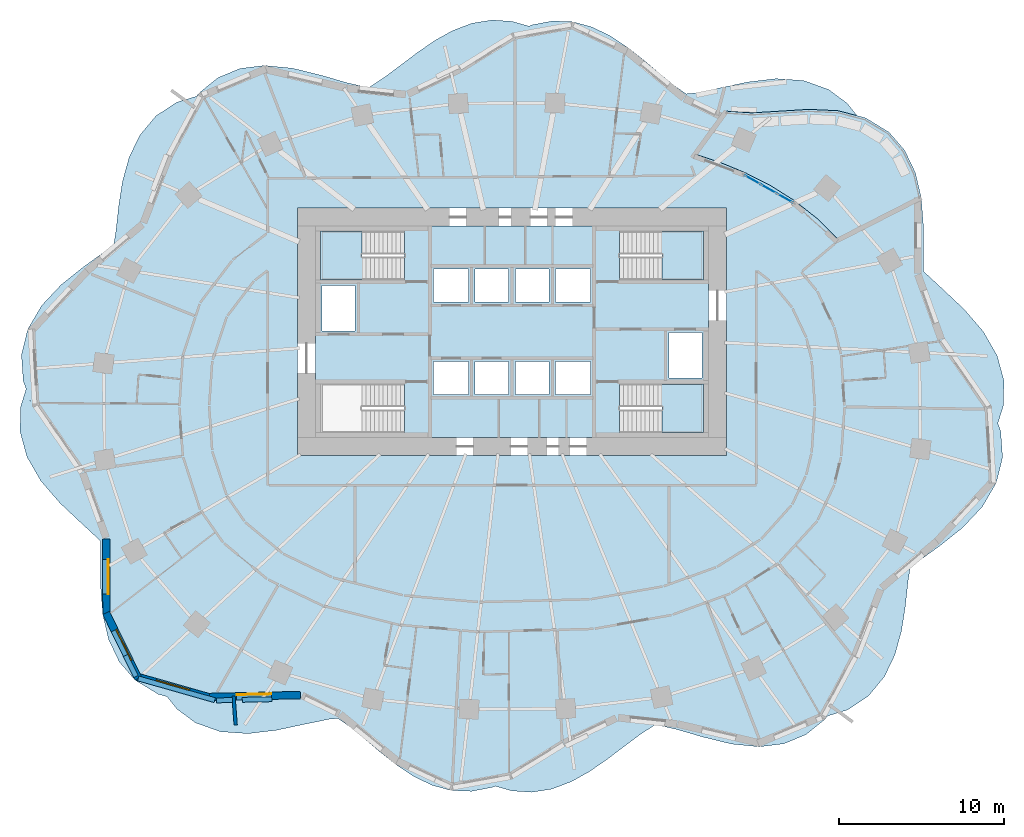
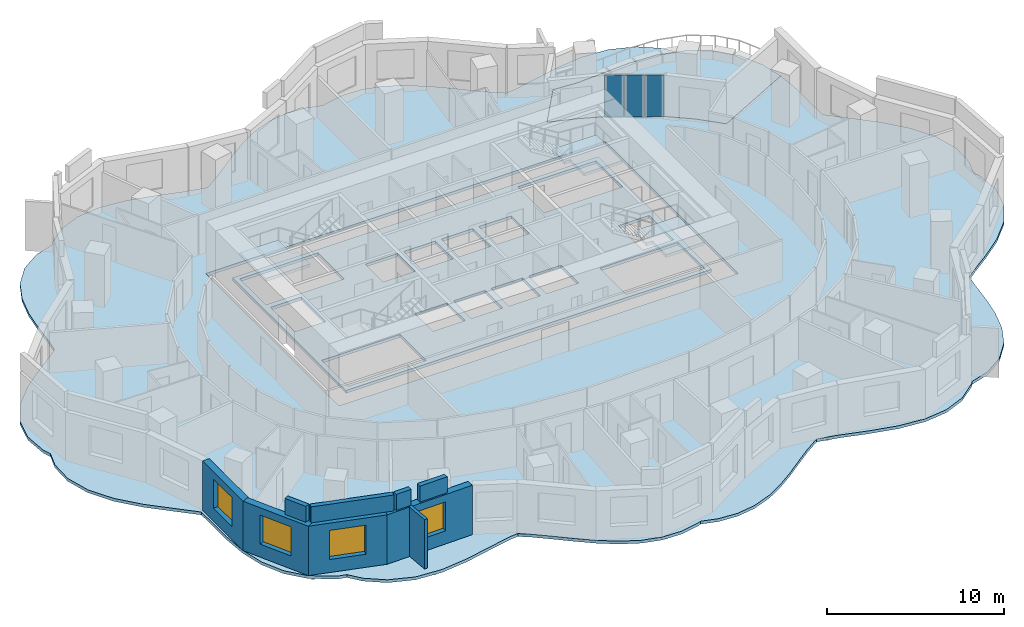
# One storey, part 4 of 14: 9 walls, 6 slabs, 4 windows, 3 plates, 4 openings, 4 elements without a shape of their own.
"""IFC4 building model written with IfcOpenShell, lengths in metres."""

from ifc_helpers import new_model, si_unit, direction, frame, frame_2d, origin, origin_2d, place, context, subcontext, project, spatial, polyline, rectangle, outline, extrude, material, layer, layer_set, type_object, element, fill, aggregate, save


model = new_model("IFC4")

# Units and contexts
model_context = context("Model", 3, precision=1e-05, world=origin(), true_north=direction((0.0, 1.0)))
body_context = subcontext(model_context, "Body", "Model", "MODEL_VIEW")
ifc_project = project(units=[si_unit("LENGTHUNIT", "METRE"), si_unit("AREAUNIT", "SQUARE_METRE"), si_unit("VOLUMEUNIT", "CUBIC_METRE"), si_unit("PLANEANGLEUNIT", "RADIAN"), si_unit("MASSUNIT", "GRAM", prefix="KILO")], contexts=[model_context])

# Site, building, storey
site_placement = place(None, origin())
site = spatial("IfcSite", under=ifc_project, at=site_placement, CompositionType="ELEMENT")
building_placement = place(site_placement, origin())
building = spatial("IfcBuilding", under=site, at=building_placement, Name="Rubra Terraces Tower", CompositionType="ELEMENT")
storey_placement = place(building_placement, frame((0.0, 0.0, 103.199951171875)))
storey = spatial("IfcBuildingStorey", under=building, at=storey_placement, Name="L24", CompositionType="ELEMENT", Elevation=103.199951171875)

# Slab
ifc_material_1 = material(Name="Concrete C40", Category="concrete")
ifc_layer_1 = layer(ifc_material_1, 0.199951171875)
ifc_layer_set_1 = layer_set([ifc_layer_1], Name="Concrete C40")
slab_type_1 = type_object("IfcSlabType", Name="Core floor slab 200 concrete", PredefinedType="FLOOR", material=ifc_layer_set_1)
slab_1_placement = place(storey_placement, frame((0.0, 0.0, -0.199951171875)))
element("IfcSlab", 1, at=slab_1_placement, inside=storey, type_object=slab_type_1, Name="CORE FLOOR SLAB L24", PredefinedType="FLOOR", context=body_context, shape_type="SweptSolid", body=[
    extrude(outline(polyline([(-11.89990234375, -1.89990234375), (-11.89990234375, 10.89990234375), (11.89990234375, 10.89990234375), (11.89990234375, -1.89990234375), (-11.89990234375, -1.89990234375)]), holes=[polyline([(11.597900390625, 1.347900390625), (6.501953125, 1.347900390625), (6.501953125, -1.597900390625), (11.597900390625, -1.597900390625), (11.597900390625, 1.347900390625)]), polyline([(11.597900390625, 7.652099609375), (11.597900390625, 10.597900390625), (6.501953125, 10.597900390625), (6.501953125, 7.652099609375), (11.597900390625, 7.652099609375)]), polyline([(9.5, 1.699951171875), (11.5, 1.699951171875), (11.5, 4.449951171875), (9.5, 4.449951171875), (9.5, 1.699951171875)]), polyline([(4.75, 0.699951171875), (4.75, 2.699951171875), (2.64990234375, 2.699951171875), (2.64990234375, 0.699951171875), (4.75, 0.699951171875)]), polyline([(4.75, 6.300048828125), (4.75, 8.300048828125), (2.64990234375, 8.300048828125), (2.64990234375, 6.300048828125), (4.75, 6.300048828125)]), polyline([(2.25, 0.699951171875), (2.25, 2.699951171875), (0.199951171875, 2.699951171875), (0.199951171875, 0.699951171875), (2.25, 0.699951171875)]), polyline([(2.25, 6.300048828125), (2.25, 8.300048828125), (0.199951171875, 8.300048828125), (0.199951171875, 6.300048828125), (2.25, 6.300048828125)]), polyline([(-0.199951171875, 0.699951171875), (-0.199951171875, 2.699951171875), (-2.25, 2.699951171875), (-2.25, 0.699951171875), (-0.199951171875, 0.699951171875)]), polyline([(-0.199951171875, 6.300048828125), (-0.199951171875, 8.300048828125), (-2.25, 8.300048828125), (-2.25, 6.300048828125), (-0.199951171875, 6.300048828125)]), polyline([(-2.64990234375, 0.699951171875), (-2.64990234375, 2.699951171875), (-4.75, 2.699951171875), (-4.75, 0.699951171875), (-2.64990234375, 0.699951171875)]), polyline([(-2.64990234375, 8.300048828125), (-4.75, 8.300048828125), (-4.75, 6.300048828125), (-2.64990234375, 6.300048828125), (-2.64990234375, 8.300048828125)]), polyline([(-11.597900390625, -1.597900390625), (-6.501953125, -1.597900390625), (-6.501953125, 1.347900390625), (-11.597900390625, 1.347900390625), (-11.597900390625, -1.597900390625)]), polyline([(-11.597900390625, 10.597900390625), (-11.597900390625, 7.652099609375), (-6.501953125, 7.652099609375), (-6.501953125, 10.597900390625), (-11.597900390625, 10.597900390625)]), polyline([(-9.5, 4.550048828125), (-9.5, 7.300048828125), (-11.5, 7.300048828125), (-11.5, 4.550048828125), (-9.5, 4.550048828125)])]), origin(), (0.0, 0.0, 1.0), 0.199951171875),
])

# Stair, slab
stair_type = type_object("IfcStairType", Name="Core stair 1400", PredefinedType="HALF_TURN_STAIR", material=ifc_material_1)
stair_1_placement = place(storey_placement, origin())
stair_1 = element("IfcStair", 2, at=stair_1_placement, inside=storey, type_object=stair_type, Name="L24 Exit stair S2", PredefinedType="HALF_TURN_STAIR")
ifc_layer_2 = layer(ifc_material_1, 0.199951171875)
ifc_layer_set_2 = layer_set([ifc_layer_2], Name="Concrete C40")
slab_type_2 = type_object("IfcSlabType", Name="Core stair landing 200", PredefinedType="LANDING", material=ifc_layer_set_2)
slab_2_placement = place(storey_placement, frame((0.0, 0.0, 1.60009765625)))
slab_2 = element("IfcSlab", 3, at=slab_2_placement, type_object=slab_type_2, Name="S2 landing 1", PredefinedType="LANDING", context=body_context, shape_type="SweptSolid", body=[
    extrude(outline(polyline([(-8.719970703125, 9.050048828125), (-8.719970703125, 7.64990234375), (-9.1201171875, 7.64990234375), (-11.60009765625, 7.64990234375), (-11.60009765625, 10.60009765625), (-9.1201171875, 10.60009765625), (-9.10009765625, 10.60009765625), (-9.097900390625, 10.60009765625), (-9.097900390625, 9.199951171875), (-9.10009765625, 9.199951171875), (-9.10009765625, 9.050048828125), (-8.719970703125, 9.050048828125)])), origin(), (0.0, 0.0, 1.0), 0.199951171875),
])
aggregate(stair_1, [slab_2])

stair_2_placement = place(storey_placement, origin())
stair_2 = element("IfcStair", 4, at=stair_2_placement, inside=storey, type_object=stair_type, Name="L24 Exit stair S3", PredefinedType="HALF_TURN_STAIR")
slab_3_placement = place(storey_placement, frame((0.0, 0.0, 1.60009765625)))
slab_3 = element("IfcSlab", 5, at=slab_3_placement, type_object=slab_type_2, Name="S3 landing 1", PredefinedType="LANDING", context=body_context, shape_type="SweptSolid", body=[
    extrude(outline(polyline([(9.10009765625, 9.050048828125), (9.10009765625, 9.199951171875), (8.719970703125, 9.199951171875), (8.719970703125, 10.60009765625), (9.10009765625, 10.60009765625), (9.1201171875, 10.60009765625), (11.60009765625, 10.60009765625), (11.60009765625, 7.64990234375), (9.1201171875, 7.64990234375), (9.097900390625, 7.64990234375), (9.097900390625, 9.050048828125), (9.10009765625, 9.050048828125)])), origin(), (0.0, 0.0, 1.0), 0.199951171875),
])
aggregate(stair_2, [slab_3])

stair_3_placement = place(storey_placement, origin())
stair_3 = element("IfcStair", 6, at=stair_3_placement, inside=storey, type_object=stair_type, Name="L24 Exit stair S4", PredefinedType="HALF_TURN_STAIR")
slab_4_placement = place(storey_placement, frame((0.0, 0.0, 1.60009765625)))
slab_4 = element("IfcSlab", 7, at=slab_4_placement, type_object=slab_type_2, Name="S4 landing 1", PredefinedType="LANDING", context=body_context, shape_type="SweptSolid", body=[
    extrude(outline(polyline([(9.10009765625, -0.199951171875), (9.10009765625, -0.050048828125), (8.719970703125, -0.050048828125), (8.719970703125, 1.35009765625), (9.10009765625, 1.35009765625), (9.1201171875, 1.35009765625), (11.60009765625, 1.35009765625), (11.60009765625, -1.60009765625), (9.1201171875, -1.60009765625), (9.10009765625, -1.60009765625), (9.097900390625, -1.60009765625), (9.097900390625, -0.199951171875), (9.10009765625, -0.199951171875)])), origin(), (0.0, 0.0, 1.0), 0.199951171875),
])
aggregate(stair_3, [slab_4])

# Slabs
ifc_layer_3 = layer(ifc_material_1, 0.199951171875)
ifc_layer_set_3 = layer_set([ifc_layer_3], Name="Concrete C40")
slab_type_3 = type_object("IfcSlabType", Name="FLOOR SLAB 200 COMPOSITE", PredefinedType="FLOOR", material=ifc_layer_set_3)
slab_5_placement = place(storey_placement, frame((0.0, 0.0, -0.199951171875)))
element("IfcSlab", 8, at=slab_5_placement, inside=storey, type_object=slab_type_3, Name="FLOOR SLAB L24", PredefinedType="FLOOR", context=body_context, shape_type="SweptSolid", body=[
    extrude(outline(polyline([(11.056884765625, 18.9619140625), (10.547119140625, 18.9189453125), (9.8779296875, 19.385986328125), (8.966064453125, 20.132080078125), (8.028076171875, 20.926025390625), (7.051025390625, 21.700927734375), (5.968994140625, 22.422119140625), (4.843994140625, 22.967041015625), (3.68701171875, 23.281982421875), (2.450927734375, 23.33203125), (1.217041015625, 23.095947265625), (1.02099609375, 23.01904296875), (0.0, 23.306884765625), (-1.201904296875, 23.389892578125), (-2.408935546875, 23.197998046875), (-3.60302734375, 22.7470703125), (-4.675048828125, 22.14794921875), (-5.714111328125, 21.43408203125), (-6.718017578125, 20.675048828125), (-7.68701171875, 19.948974609375), (-8.639892578125, 19.31689453125), (-8.69189453125, 19.2900390625), (-9.97998046875, 19.5869140625), (-11.60498046875, 20.055908203125), (-13.2958984375, 20.468994140625), (-14.993896484375, 20.637939453125), (-16.469970703125, 20.4541015625), (-17.81298828125, 19.89404296875), (-18.964111328125, 18.964111328125), (-19.114013671875, 18.77001953125), (-20.320068359375, 18.403076171875), (-21.5791015625, 17.572998046875), (-22.55908203125, 16.389892578125), (-23.196044921875, 15.06103515625), (-23.595947265625, 13.60791015625), (-23.824951171875, 12.139892578125), (-23.992919921875, 10.60107421875), (-24.117919921875, 9.81396484375), (-24.5869140625, 9.424072265625), (-25.9599609375, 8.43505859375), (-27.302001953125, 7.363037109375), (-28.489990234375, 6.096923828125), (-29.337890625, 4.64697265625), (-29.717041015625, 3.10107421875), (-29.60595703125, 1.52587890625), (-29.06689453125, 0.0), (-29.43310546875, 1.035888671875), (-29.757080078125, 0.0), (-29.802978515625, -1.535888671875), (-29.383056640625, -3.072021484375), (-28.547119140625, -4.52099609375), (-27.39111328125, -5.866943359375), (-26.136962890625, -7.0458984375), (-24.98291015625, -8.116943359375), (-24.93310546875, -8.175048828125), (-24.9169921875, -9.5029296875), (-24.9150390625, -11.032958984375), (-24.7890625, -12.631103515625), (-24.43603515625, -14.136962890625), (-23.7900390625, -15.491943359375), (-22.839111328125, -16.593017578125), (-21.4150390625, -17.4619140625), (-20.902099609375, -17.594970703125), (-20.301025390625, -18.346923828125), (-19.179931640625, -19.179931640625), (-17.657958984375, -19.72412109375), (-15.985107421875, -19.839111328125), (-14.263916015625, -19.633056640625), (-12.615966796875, -19.281005859375), (-11.056884765625, -18.9619140625), (-10.547119140625, -18.9189453125), (-9.8779296875, -19.385986328125), (-8.966064453125, -20.132080078125), (-8.028076171875, -20.926025390625), (-7.051025390625, -21.700927734375), (-5.968994140625, -22.422119140625), (-4.843994140625, -22.967041015625), (-3.68701171875, -23.281982421875), (-2.450927734375, -23.33203125), (-1.217041015625, -23.095947265625), (-1.02099609375, -23.01904296875), (0.0, -23.306884765625), (1.201904296875, -23.389892578125), (2.408935546875, -23.197998046875), (3.60302734375, -22.7470703125), (4.675048828125, -22.14794921875), (5.714111328125, -21.43408203125), (6.718017578125, -20.675048828125), (7.68701171875, -19.948974609375), (8.639892578125, -19.31689453125), (8.69189453125, -19.2900390625), (9.97998046875, -19.5869140625), (11.60498046875, -20.055908203125), (13.2958984375, -20.468994140625), (14.993896484375, -20.637939453125), (16.469970703125, -20.4541015625), (17.81298828125, -19.89404296875), (18.964111328125, -18.964111328125), (19.114013671875, -18.77001953125), (20.320068359375, -18.403076171875), (21.5791015625, -17.572998046875), (22.55908203125, -16.389892578125), (23.196044921875, -15.06103515625), (23.595947265625, -13.60791015625), (23.824951171875, -12.139892578125), (23.992919921875, -10.60107421875), (24.117919921875, -9.81396484375), (24.5869140625, -9.424072265625), (25.9599609375, -8.43505859375), (27.302001953125, -7.363037109375), (28.489990234375, -6.096923828125), (29.337890625, -4.64697265625), (29.717041015625, -3.10107421875), (29.60595703125, -1.52587890625), (29.06689453125, 0.0), (29.43310546875, -1.035888671875), (29.757080078125, 0.0), (29.802978515625, 1.535888671875), (29.383056640625, 3.072021484375), (28.547119140625, 4.52099609375), (27.39111328125, 5.866943359375), (26.136962890625, 7.0458984375), (24.98291015625, 8.116943359375), (24.93310546875, 8.175048828125), (24.9169921875, 9.5029296875), (24.9150390625, 11.032958984375), (24.7890625, 12.631103515625), (19.77392578125, 10.074951171875), (18.51904296875, 11.3369140625), (17.1220703125, 12.43994140625), (15.66796875, 13.35595703125), (14.135009765625, 14.135009765625), (12.633056640625, 14.75390625), (11.092041015625, 15.26708984375), (12.98388671875, 17.8701171875), (14.509033203125, 17.763916015625), (16.18408203125, 17.864013671875), (17.97607421875, 17.97607421875), (19.748046875, 17.89501953125), (20.902099609375, 17.594970703125), (20.301025390625, 18.346923828125), (19.179931640625, 19.179931640625), (17.657958984375, 19.72412109375), (15.985107421875, 19.839111328125), (14.263916015625, 19.633056640625), (12.615966796875, 19.281005859375), (11.056884765625, 18.9619140625)]), holes=[polyline([(13.0, 12.0), (13.0, -3.0), (-13.0, -3.0), (-13.0, 12.0), (13.0, 12.0)])]), origin(), (0.0, 0.0, 1.0), 0.199951171875),
])
slab_6_placement = place(storey_placement, frame((0.0, 0.0, -0.199951171875)))
element("IfcSlab", 9, at=slab_6_placement, inside=storey, type_object=slab_type_3, Name="TERRACE SLAB L24", PredefinedType="FLOOR", context=body_context, shape_type="SweptSolid", body=[
    extrude(outline(polyline([(24.7890625, 12.631103515625), (24.43603515625, 14.136962890625), (23.7900390625, 15.491943359375), (22.839111328125, 16.593017578125), (21.4150390625, 17.4619140625), (19.748046875, 17.89501953125), (17.97607421875, 17.97607421875), (16.18408203125, 17.864013671875), (14.509033203125, 17.763916015625), (12.98388671875, 17.8701171875), (11.092041015625, 15.26708984375), (12.633056640625, 14.75390625), (14.135009765625, 14.135009765625), (15.66796875, 13.35595703125), (17.1220703125, 12.43994140625), (18.51904296875, 11.3369140625), (19.77392578125, 10.074951171875), (24.7890625, 12.631103515625)])), origin(), (0.0, 0.0, 1.0), 0.199951171875),
])

# Curtain wall, plates
ifc_material_2 = material(Name="Aluminium and glass", Category="aluminium")
curtain_wall_type = type_object("IfcCurtainWallType", Name="Curtain wall Terrace glazing", PredefinedType="NOTDEFINED", material=ifc_material_2)
curtain_wall_placement = place(storey_placement, origin())
curtain_wall = element("IfcCurtainWall", 10, at=curtain_wall_placement, inside=storey, type_object=curtain_wall_type, Name="Terrace glazing L24", PredefinedType="NOTDEFINED")
ifc_material_3 = material(Name="Clear glass, laminated", Category="glass")
ifc_layer_4 = layer(ifc_material_3, 0.028076171875)
ifc_layer_set_4 = layer_set([ifc_layer_4], Name="Clear glass, laminated")
plate_type = type_object("IfcPlateType", Name="Terrace glazing glass panel 28", PredefinedType="CURTAIN_PANEL", material=ifc_layer_set_4)
plate_1_placement = place(storey_placement, frame((16.539306640625, 12.59814453125, 0.10009765625), z_axis=(0.0, 0.0, 1.0), x_axis=(-0.869726450969, 0.493534092525, 0.0)))
plate_1 = element("IfcPlate", 11, at=plate_1_placement, type_object=plate_type, Name="CW3 panel 1.1", PredefinedType="CURTAIN_PANEL", context=body_context, shape_type="SweptSolid", body=[
    extrude(rectangle(XDim=1.06982421875, YDim=0.028076171875, at=origin_2d()), origin(), (0.0, 0.0, 1.0), 2.85009765625),
])
plate_2_placement = place(storey_placement, frame((15.554443359375, 13.156982421875, 0.10009765625), z_axis=(0.0, 0.0, 1.0), x_axis=(-0.869726450969, 0.493534092525, 0.0)))
plate_2 = element("IfcPlate", 12, at=plate_2_placement, type_object=plate_type, Name="CW3 panel 2.1", PredefinedType="CURTAIN_PANEL", context=body_context, shape_type="SweptSolid", body=[
    extrude(rectangle(XDim=1.0947265625, YDim=0.028076171875, at=origin_2d()), origin(), (0.0, 0.0, 1.0), 2.85009765625),
])
plate_3_placement = place(storey_placement, frame((14.56982421875, 13.7158203125, 0.10009765625), z_axis=(0.0, 0.0, 1.0), x_axis=(-0.869726450969, 0.493534092525, 0.0)))
plate_3 = element("IfcPlate", 13, at=plate_3_placement, type_object=plate_type, Name="CW3 panel 3.1", PredefinedType="CURTAIN_PANEL", context=body_context, shape_type="SweptSolid", body=[
    extrude(rectangle(XDim=1.06982421875, YDim=0.028076171875, at=origin_2d()), origin(), (0.0, 0.0, 1.0), 2.85009765625),
])
aggregate(curtain_wall, [plate_1, plate_2, plate_3])

# Wall, opening, window
ifc_material_4 = material(Name="Brick masonry red-brown", Category="masonry")
ifc_layer_5 = layer(ifc_material_4, 0.449951171875)
ifc_layer_set_5 = layer_set([ifc_layer_5], Name="Brick masonry red-brown")
wall_type_1 = type_object("IfcWallType", Name="Brick facade wall 450", PredefinedType="SOLIDWALL", material=ifc_layer_set_5)
wall_1_placement = place(storey_placement, frame((-24.5712890625, -8.044189453125, 0.0), z_axis=(0.0, 0.0, 1.0), x_axis=(0.001546005189, -0.999998804933, 0.0)))
wall_1 = element("IfcWall", 14, at=wall_1_placement, inside=storey, type_object=wall_type_1, Name="Facade wall L24 bay 23", PredefinedType="SOLIDWALL", context=body_context, shape_type="SweptSolid", body=[
    extrude(rectangle(XDim=4.57958984375, YDim=0.449951171875, at=frame_2d((2.289794921875, 0.0))), origin(), (0.0, 0.0, 1.0), 3.400146484375),
])
opening_1_placement = place(wall_1_placement, frame((1.23974609375, 0.0, 0.89990234375)))
opening_1 = element("IfcOpeningElement", 15, at=opening_1_placement, cuts=wall_1, Name="Opening W1", PredefinedType="OPENING", context=body_context, shape_type="SweptSolid", body=[
    extrude(rectangle(XDim=2.10009765625, YDim=2.0, at=frame_2d((1.050048828125, 1.0))), frame((0.0, 0.23486328125, 0.0), z_axis=(0.0, -1.0, 0.0), x_axis=(1.0, 0.0, 0.0)), (0.0, 0.0, 1.0), 0.469970703125),
])
ifc_material_5 = material(Name="Clear glass in aluminium frame", Category="aluminium")
window_type = type_object("IfcWindowType", Name="Fixed deep-set window 2100 x 2000", PartitioningType="SINGLE_PANEL", PredefinedType="WINDOW", material=ifc_material_5)
window_1_placement = place(opening_1_placement, origin())
window_1 = element("IfcWindow", 16, at=window_1_placement, inside=storey, type_object=window_type, Name="Window L24 bay 23", OverallHeight=2.0, OverallWidth=2.10009765625, PartitioningType="SINGLE_PANEL", PredefinedType="WINDOW", context=body_context, shape_type="SweptSolid", body=[
    extrude(rectangle(XDim=2.10009765625, YDim=2.0, at=frame_2d((1.050048828125, 1.0))), frame((0.0, 0.135009765625, 0.0), z_axis=(0.0, -1.0, 0.0), x_axis=(1.0, 0.0, 0.0)), (0.0, 0.0, 1.0), 0.06005859375),
])
fill(opening_1, window_1)

wall_2_placement = place(storey_placement, frame((-24.587158203125, -12.531494140625, 0.0), z_axis=(0.0, 0.0, 1.0), x_axis=(0.441565582365, -0.897228976611, 0.0)))
wall_2 = element("IfcWall", 17, at=wall_2_placement, inside=storey, type_object=wall_type_1, Name="Facade wall L24 bay 24", PredefinedType="SOLIDWALL", context=body_context, shape_type="SweptSolid", body=[
    extrude(rectangle(XDim=4.416015625, YDim=0.449951171875, at=frame_2d((2.2080078125, 0.0))), origin(), (0.0, 0.0, 1.0), 3.400146484375),
])
opening_2_placement = place(wall_2_placement, frame((1.157958984375, 0.0, 0.89990234375)))
opening_2 = element("IfcOpeningElement", 18, at=opening_2_placement, cuts=wall_2, Name="Opening W1", PredefinedType="OPENING", context=body_context, shape_type="SweptSolid", body=[
    extrude(rectangle(XDim=2.10009765625, YDim=2.0, at=frame_2d((1.050048828125, 1.0))), frame((0.0, 0.23486328125, 0.0), z_axis=(0.0, -1.0, 0.0), x_axis=(1.0, 0.0, 0.0)), (0.0, 0.0, 1.0), 0.469970703125),
])
window_2_placement = place(opening_2_placement, origin())
window_2 = element("IfcWindow", 19, at=window_2_placement, inside=storey, type_object=window_type, Name="Window L24 bay 24", OverallHeight=2.0, OverallWidth=2.10009765625, PartitioningType="SINGLE_PANEL", PredefinedType="WINDOW", context=body_context, shape_type="SweptSolid", body=[
    extrude(rectangle(XDim=2.10009765625, YDim=2.0, at=frame_2d((1.050048828125, 1.0))), frame((0.0, 0.135009765625, 0.0), z_axis=(0.0, -1.0, 0.0), x_axis=(1.0, 0.0, 0.0)), (0.0, 0.0, 1.0), 0.06005859375),
])
fill(opening_2, window_2)

wall_3_placement = place(storey_placement, frame((-22.777587890625, -16.376708984375, 0.0), z_axis=(0.0, 0.0, 1.0), x_axis=(0.961872816949, -0.273497137123, 0.0)))
wall_3 = element("IfcWall", 20, at=wall_3_placement, inside=storey, type_object=wall_type_1, Name="Facade wall L24 bay 25", PredefinedType="SOLIDWALL", context=body_context, shape_type="SweptSolid", body=[
    extrude(rectangle(XDim=4.584716796875, YDim=0.449951171875, at=frame_2d((2.29248046875, 0.0))), origin(), (0.0, 0.0, 1.0), 3.400146484375),
])
opening_3_placement = place(wall_3_placement, frame((1.242431640625, 0.0, 0.89990234375)))
opening_3 = element("IfcOpeningElement", 21, at=opening_3_placement, cuts=wall_3, Name="Opening W1", PredefinedType="OPENING", context=body_context, shape_type="SweptSolid", body=[
    extrude(rectangle(XDim=2.10009765625, YDim=2.0, at=frame_2d((1.050048828125, 1.0))), frame((0.0, 0.23486328125, 0.0), z_axis=(0.0, -1.0, 0.0), x_axis=(1.0, 0.0, 0.0)), (0.0, 0.0, 1.0), 0.469970703125),
])
window_3_placement = place(opening_3_placement, origin())
window_3 = element("IfcWindow", 22, at=window_3_placement, inside=storey, type_object=window_type, Name="Window L24 bay 25", OverallHeight=2.0, OverallWidth=2.10009765625, PartitioningType="SINGLE_PANEL", PredefinedType="WINDOW", context=body_context, shape_type="SweptSolid", body=[
    extrude(rectangle(XDim=2.10009765625, YDim=2.0, at=frame_2d((1.050048828125, 1.0))), frame((0.0, 0.135009765625, 0.0), z_axis=(0.0, -1.0, 0.0), x_axis=(1.0, 0.0, 0.0)), (0.0, 0.0, 1.0), 0.06005859375),
])
fill(opening_3, window_3)

wall_4_placement = place(storey_placement, frame((-18.433837890625, -17.622314453125, 0.0), z_axis=(0.0, 0.0, 1.0), x_axis=(0.999773749739, 0.021270856405, 0.0)))
wall_4 = element("IfcWall", 23, at=wall_4_placement, inside=storey, type_object=wall_type_1, Name="Facade wall L24 bay 26", PredefinedType="SOLIDWALL", context=body_context, shape_type="SweptSolid", body=[
    extrude(rectangle(XDim=5.612548828125, YDim=0.449951171875, at=frame_2d((2.80615234375, 0.0))), origin(), (0.0, 0.0, 1.0), 3.400146484375),
])
opening_4_placement = place(wall_4_placement, frame((1.75634765625, 0.0, 0.89990234375)))
opening_4 = element("IfcOpeningElement", 24, at=opening_4_placement, cuts=wall_4, Name="Opening W1", PredefinedType="OPENING", context=body_context, shape_type="SweptSolid", body=[
    extrude(rectangle(XDim=2.10009765625, YDim=2.0, at=frame_2d((1.050048828125, 1.0))), frame((0.0, 0.23486328125, 0.0), z_axis=(0.0, -1.0, 0.0), x_axis=(1.0, 0.0, 0.0)), (0.0, 0.0, 1.0), 0.469970703125),
])
window_4_placement = place(opening_4_placement, origin())
window_4 = element("IfcWindow", 25, at=window_4_placement, inside=storey, type_object=window_type, Name="Window L24 bay 26", OverallHeight=2.0, OverallWidth=2.10009765625, PartitioningType="SINGLE_PANEL", PredefinedType="WINDOW", context=body_context, shape_type="SweptSolid", body=[
    extrude(rectangle(XDim=2.10009765625, YDim=2.0, at=frame_2d((1.050048828125, 1.0))), frame((0.0, 0.135009765625, 0.0), z_axis=(0.0, -1.0, 0.0), x_axis=(1.0, 0.0, 0.0)), (0.0, 0.0, 1.0), 0.06005859375),
])
fill(opening_4, window_4)

# Walls
ifc_layer_6 = layer(ifc_material_4, 0.300048828125)
ifc_layer_set_6 = layer_set([ifc_layer_6], Name="Brick masonry red-brown")
wall_type_2 = type_object("IfcWallType", Name="Brick parapet 300", PredefinedType="PARAPET", material=ifc_layer_set_6)
wall_5_placement = place(storey_placement, frame((-23.40673828125, -15.099609375, 3.60009765625), z_axis=(0.0, 0.0, 1.0), x_axis=(0.441525139575, -0.897248879143, 0.0)))
element("IfcWall", 26, at=wall_5_placement, inside=storey, type_object=wall_type_2, Name="Parapet L24 bay 24", PredefinedType="PARAPET", context=body_context, shape_type="SweptSolid", body=[
    extrude(rectangle(XDim=1.42724609375, YDim=0.300048828125, at=frame_2d((0.713623046875, 0.0))), origin(), (0.0, 0.0, 1.0), 1.099853515625),
])
wall_6_placement = place(storey_placement, frame((-22.640869140625, -16.493408203125, 3.60009765625), z_axis=(0.0, 0.0, 1.0), x_axis=(0.961855991684, -0.273556303641, 0.0)))
element("IfcWall", 27, at=wall_6_placement, inside=storey, type_object=wall_type_2, Name="Parapet L24 bay 25", PredefinedType="PARAPET", context=body_context, shape_type="SweptSolid", body=[
    extrude(rectangle(XDim=4.817626953125, YDim=0.300048828125, at=frame_2d((2.40869140625, 0.0))), origin(), (0.0, 0.0, 1.0), 1.099853515625),
])
wall_7_placement = place(storey_placement, frame((-17.904052734375, -17.824462890625, 3.60009765625), z_axis=(0.0, 0.0, 1.0), x_axis=(0.999771907309, 0.021357278744, 0.0)))
element("IfcWall", 28, at=wall_7_placement, inside=storey, type_object=wall_type_2, Name="Parapet L24 bay 26", PredefinedType="PARAPET", context=body_context, shape_type="SweptSolid", body=[
    extrude(rectangle(XDim=0.9716796875, YDim=0.300048828125, at=frame_2d((0.48583984375, 0.0))), origin(), (0.0, 0.0, 1.0), 1.099853515625),
])
wall_8_placement = place(storey_placement, frame((-16.339599609375, -17.791259765625, 3.60009765625), z_axis=(0.0, 0.0, 1.0), x_axis=(0.999776010316, 0.021164337831, 0.0)))
element("IfcWall", 29, at=wall_8_placement, inside=storey, type_object=wall_type_2, Name="Parapet L24 bay 26.2", PredefinedType="PARAPET", context=body_context, shape_type="SweptSolid", body=[
    extrude(rectangle(XDim=1.7880859375, YDim=0.300048828125, at=frame_2d((0.89404296875, 0.0))), origin(), (0.0, 0.0, 1.0), 1.099853515625),
])
ifc_layer_7 = layer(ifc_material_4, 0.199951171875)
ifc_layer_set_7 = layer_set([ifc_layer_7], Name="Brick masonry red-brown")
wall_type_3 = type_object("IfcWallType", Name="Brick wind fin 200", PredefinedType="SOLIDWALL", material=ifc_layer_set_7)
wall_9_placement = place(storey_placement, frame((-16.868896484375, -17.56591796875, 0.0), z_axis=(0.0, 0.0, 1.0), x_axis=(0.073655868346, -0.997283717434, 0.0)))
element("IfcWall", 30, at=wall_9_placement, inside=storey, type_object=wall_type_3, Name="Wind fin L24 11", PredefinedType="SOLIDWALL", context=body_context, shape_type="SweptSolid", body=[
    extrude(rectangle(XDim=1.75, YDim=0.199951171875, at=frame_2d((0.875, 0.0))), origin(), (0.0, 0.0, 1.0), 3.400146484375),
])

save(model, "model.ifc")
